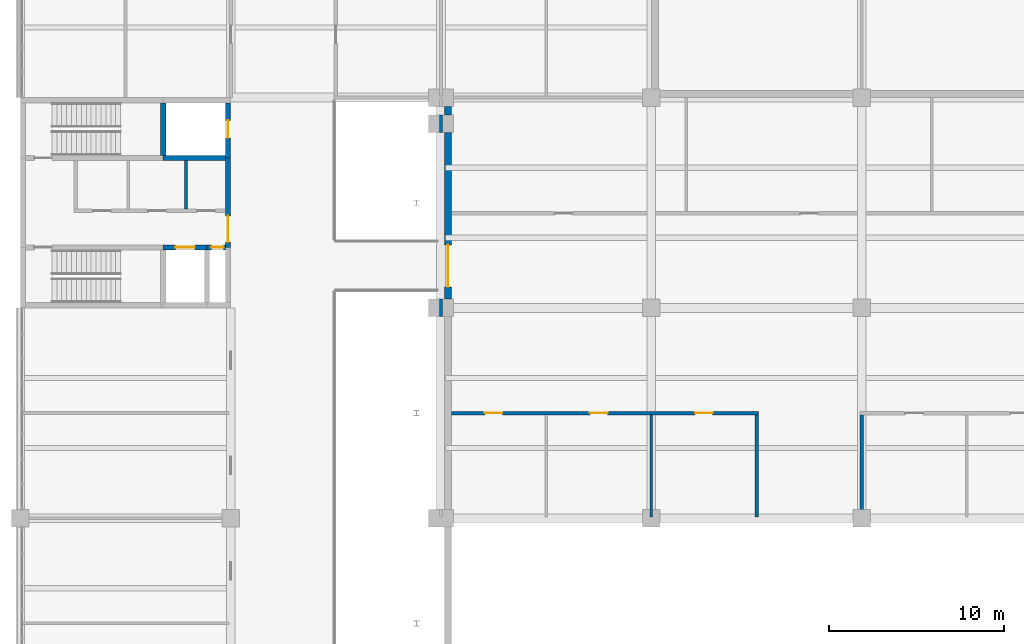
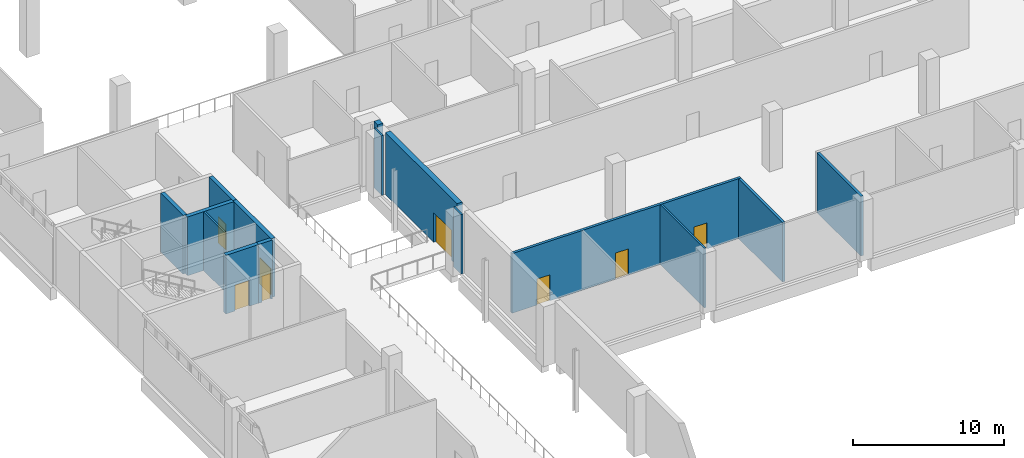
# One storey, part 59 of 69: 15 walls, 8 doors, 8 openings.
"""IFC4 building model written with IfcOpenShell, lengths in metres."""

from ifc_helpers import new_model, si_unit, direction, frame, frame_2d, origin, place, context, subcontext, project, spatial, rectangle, extrude, material, layer, layer_set, type_object, element, fill, save


model = new_model("IFC4")

# Units and contexts
model_context = context("Model", 3, precision=1e-05, world=origin(), true_north=direction((0.0, 1.0)))
body_context = subcontext(model_context, "Body", "Model", "MODEL_VIEW")
ifc_project = project(units=[si_unit("LENGTHUNIT", "METRE"), si_unit("AREAUNIT", "SQUARE_METRE"), si_unit("VOLUMEUNIT", "CUBIC_METRE"), si_unit("PLANEANGLEUNIT", "RADIAN"), si_unit("MASSUNIT", "GRAM", prefix="KILO")], contexts=[model_context])

# Site, building, storey
site_placement = place(None, origin())
site = spatial("IfcSite", under=ifc_project, at=site_placement, CompositionType="ELEMENT")
building_placement = place(site_placement, origin())
building = spatial("IfcBuilding", under=site, at=building_placement, Name="Lilac Gate Convention Centre", CompositionType="ELEMENT")
storey_placement = place(building_placement, frame((0.0, 0.0, 12.0)))
storey = spatial("IfcBuildingStorey", under=building, at=storey_placement, Name="L02", CompositionType="ELEMENT", Elevation=12.0)

# Wall, opening, door
ifc_material_1 = material(Name="Concrete C30", Category="concrete")
ifc_layer_1 = layer(ifc_material_1, 0.39990234375)
ifc_layer_set_1 = layer_set([ifc_layer_1], Name="Concrete C30")
wall_type_1 = type_object("IfcWallType", Name="Hall fire wall 400", PredefinedType="SOLIDWALL", material=ifc_layer_set_1)
wall_1_placement = place(storey_placement, frame((30.39990234375, 210.5, 0.0), z_axis=(0.0, 0.0, 1.0), x_axis=(0.0, 1.0, 0.0)))
wall_1 = element("IfcWall", 1, at=wall_1_placement, inside=storey, type_object=wall_type_1, Name="Fire wall galleria FW L02 16", PredefinedType="SOLIDWALL", context=body_context, shape_type="SweptSolid", body=[
    extrude(rectangle(XDim=9.5, YDim=0.39990234375, at=frame_2d((4.75, 0.0))), origin(), (0.0, 0.0, 1.0), 5.0),
])
opening_1_placement = place(wall_1_placement, frame((0.699951171875, 0.0, 0.0)))
opening_1 = element("IfcOpeningElement", 2, at=opening_1_placement, cuts=wall_1, Name="Opening L02-086", PredefinedType="OPENING", context=body_context, shape_type="SweptSolid", body=[
    extrude(rectangle(XDim=2.39990234375, YDim=2.39990234375, at=frame_2d((1.199951171875, 1.199951171875))), frame((0.0, 0.2099609375, 0.0), z_axis=(0.0, -1.0, 0.0), x_axis=(1.0, 0.0, 0.0)), (0.0, 0.0, 1.0), 0.419921875),
])
ifc_material_2 = material(Name="Steel Q235B", Category="steel")
door_type_1 = type_object("IfcDoorType", Name="Door 2400 x 2400 double leaf FD90", OperationType="DOUBLE_DOOR_SINGLE_SWING", PredefinedType="DOOR", material=ifc_material_2)
door_1_placement = place(opening_1_placement, origin())
door_1 = element("IfcDoor", 3, at=door_1_placement, inside=storey, type_object=door_type_1, Name="Foyer door L02-086", OperationType="DOUBLE_DOOR_SINGLE_SWING", OverallHeight=2.39990234375, OverallWidth=2.39990234375, PredefinedType="DOOR", context=body_context, shape_type="SweptSolid", body=[
    extrude(rectangle(XDim=2.39990234375, YDim=2.39990234375, at=frame_2d((1.199951171875, 1.199951171875))), frame((0.0, 0.02490234375, 0.0), z_axis=(0.0, -1.0, 0.0), x_axis=(1.0, 0.0, 0.0)), (0.0, 0.0, 1.0), 0.050048828125),
])
fill(opening_1, door_1)

# Walls
wall_2_placement = place(storey_placement, frame((30.39990234375, 221.0, 0.0), z_axis=(0.0, 0.0, 1.0), x_axis=(0.0, 1.0, 0.0)))
element("IfcWall", 4, at=wall_2_placement, inside=storey, type_object=wall_type_1, Name="Fire wall galleria FW L02 17", PredefinedType="SOLIDWALL", context=body_context, shape_type="SweptSolid", body=[
    extrude(rectangle(XDim=0.5, YDim=0.39990234375, at=frame_2d((0.25, 0.0))), origin(), (0.0, 0.0, 1.0), 5.0),
])
ifc_material_3 = material(Name="Fire-rated gypsum board on steel stud", Category="steel")
ifc_layer_2 = layer(ifc_material_3, 0.14990234375)
ifc_layer_set_2 = layer_set([ifc_layer_2], Name="Fire-rated gypsum board on steel stud")
wall_type_2 = type_object("IfcWallType", Name="Partition 150 fire-rated gypsum board EI 60", PredefinedType="PARTITIONING", material=ifc_layer_set_2)
wall_3_placement = place(storey_placement, frame((15.449951171875, 215.64990234375, 0.0), z_axis=(0.0, 0.0, 1.0), x_axis=(0.0, 1.0, 0.0)))
element("IfcWall", 5, at=wall_3_placement, inside=storey, type_object=wall_type_2, Name="Partition 150 fire-rated gypsum board EI 60", PredefinedType="PARTITIONING", context=body_context, shape_type="SweptSolid", body=[
    extrude(rectangle(XDim=2.75, YDim=0.14990234375, at=frame_2d((1.375, 0.0))), origin(), (0.0, 0.0, 1.0), 4.75),
])
for number, where, z_axis, x_axis, name in (
    (6, (30.0, 209.5, 0.0), (0.0, 0.0, 1.0), (0.0, 1.0, 0.0), "Partition 150 fire-rated gypsum board EI 60"),
    (7, (30.0, 220.0, 0.0), (0.0, 0.0, 1.0), (0.0, 1.0, 0.0), "Partition 150 fire-rated gypsum board EI 60"),
):
    element("IfcWall", number, at=place(storey_placement, frame(where, z_axis=z_axis, x_axis=x_axis)), inside=storey, type_object=wall_type_2, Name=name, PredefinedType="PARTITIONING", context=body_context, shape_type="SweptSolid", body=[
        extrude(rectangle(XDim=1.0, YDim=0.14990234375, at=frame_2d((0.5, 0.0))), origin(), (0.0, 0.0, 1.0), 4.824951171875),
    ])
wall_4_placement = place(storey_placement, frame((42.0, 198.074951171875, 0.0), z_axis=(0.0, 0.0, 1.0), x_axis=(0.0, 1.0, 0.0)))
element("IfcWall", 8, at=wall_4_placement, inside=storey, type_object=wall_type_2, Name="Partition 150 fire-rated gypsum board EI 60", PredefinedType="PARTITIONING", context=body_context, shape_type="SweptSolid", body=[
    extrude(rectangle(XDim=5.824951171875, YDim=0.14990234375, at=frame_2d((2.91259765625, 0.0))), origin(), (0.0, 0.0, 1.0), 4.824951171875),
])

# Wall, openings, doors
ifc_material_4 = material(Name="Clay brick masonry", Category="masonry")
ifc_layer_3 = layer(ifc_material_4, 0.199951171875)
ifc_layer_set_3 = layer_set([ifc_layer_3], Name="Clay brick masonry")
wall_type_3 = type_object("IfcWallType", Name="Partition 200 brick EI 60", PredefinedType="PARTITIONING", material=ifc_layer_set_3)
wall_5_placement = place(storey_placement, frame((30.599853515625, 204.0, 0.0), z_axis=(0.0, 0.0, 1.0), x_axis=(1.0, 0.0, 0.0)))
wall_5 = element("IfcWall", 9, at=wall_5_placement, inside=storey, type_object=wall_type_3, Name="Partition 200 brick EI 60", PredefinedType="PARTITIONING", context=body_context, shape_type="SweptSolid", body=[
    extrude(rectangle(XDim=17.500244140625, YDim=0.199951171875, at=frame_2d((8.75, 0.0))), origin(), (0.0, 0.0, 1.0), 4.824951171875),
])
opening_2_placement = place(wall_5_placement, frame((1.900146484375, 0.0, 0.0)))
opening_2 = element("IfcOpeningElement", 10, at=opening_2_placement, cuts=wall_5, Name="Opening L02-077", PredefinedType="OPENING", context=body_context, shape_type="SweptSolid", body=[
    extrude(rectangle(XDim=1.0, YDim=2.10009765625, at=frame_2d((0.5, 1.050048828125))), frame((0.0, 0.10986328125, 0.0), z_axis=(0.0, -1.0, 0.0), x_axis=(1.0, 0.0, 0.0)), (0.0, 0.0, 1.0), 0.219970703125),
])
opening_3_placement = place(wall_5_placement, frame((7.900146484375, 0.0, 0.0)))
opening_3 = element("IfcOpeningElement", 11, at=opening_3_placement, cuts=wall_5, Name="Opening L02-078", PredefinedType="OPENING", context=body_context, shape_type="SweptSolid", body=[
    extrude(rectangle(XDim=1.0, YDim=2.10009765625, at=frame_2d((0.5, 1.050048828125))), frame((0.0, 0.10986328125, 0.0), z_axis=(0.0, -1.0, 0.0), x_axis=(1.0, 0.0, 0.0)), (0.0, 0.0, 1.0), 0.219970703125),
])
opening_4_placement = place(wall_5_placement, frame((13.900146484375, 0.0, 0.0)))
opening_4 = element("IfcOpeningElement", 12, at=opening_4_placement, cuts=wall_5, Name="Opening L02-079", PredefinedType="OPENING", context=body_context, shape_type="SweptSolid", body=[
    extrude(rectangle(XDim=1.0, YDim=2.10009765625, at=frame_2d((0.5, 1.050048828125))), frame((0.0, 0.10986328125, 0.0), z_axis=(0.0, -1.0, 0.0), x_axis=(1.0, 0.0, 0.0)), (0.0, 0.0, 1.0), 0.219970703125),
])
ifc_material_5 = material(Name="Timber fire door leaf", Category="wood")
door_type_2 = type_object("IfcDoorType", Name="Door 1000 x 2100 single leaf FD30", OperationType="SINGLE_SWING_LEFT", PredefinedType="DOOR", material=ifc_material_5)
door_2_placement = place(opening_2_placement, frame((1.0, 0.0, 0.0), z_axis=(0.0, 0.0, 1.0), x_axis=(-1.0, 0.0, 0.0)))
door_2 = element("IfcDoor", 13, at=door_2_placement, inside=storey, type_object=door_type_2, Name="Meeting room door L02-077", OperationType="SINGLE_SWING_LEFT", OverallHeight=2.10009765625, OverallWidth=1.0, PredefinedType="DOOR", context=body_context, shape_type="SweptSolid", body=[
    extrude(rectangle(XDim=1.0, YDim=2.10009765625, at=frame_2d((0.5, 1.050048828125))), frame((0.0, 0.02490234375, 0.0), z_axis=(0.0, -1.0, 0.0), x_axis=(1.0, 0.0, 0.0)), (0.0, 0.0, 1.0), 0.050048828125),
])
fill(opening_2, door_2)
door_3_placement = place(opening_3_placement, frame((1.0, 0.0, 0.0), z_axis=(0.0, 0.0, 1.0), x_axis=(-1.0, 0.0, 0.0)))
door_3 = element("IfcDoor", 14, at=door_3_placement, inside=storey, type_object=door_type_2, Name="Meeting room door L02-078", OperationType="SINGLE_SWING_LEFT", OverallHeight=2.10009765625, OverallWidth=1.0, PredefinedType="DOOR", context=body_context, shape_type="SweptSolid", body=[
    extrude(rectangle(XDim=1.0, YDim=2.10009765625, at=frame_2d((0.5, 1.050048828125))), frame((0.0, 0.02490234375, 0.0), z_axis=(0.0, -1.0, 0.0), x_axis=(1.0, 0.0, 0.0)), (0.0, 0.0, 1.0), 0.050048828125),
])
fill(opening_3, door_3)
door_4_placement = place(opening_4_placement, frame((1.0, 0.0, 0.0), z_axis=(0.0, 0.0, 1.0), x_axis=(-1.0, 0.0, 0.0)))
door_4 = element("IfcDoor", 15, at=door_4_placement, inside=storey, type_object=door_type_2, Name="Meeting room door L02-079", OperationType="SINGLE_SWING_LEFT", OverallHeight=2.10009765625, OverallWidth=1.0, PredefinedType="DOOR", context=body_context, shape_type="SweptSolid", body=[
    extrude(rectangle(XDim=1.0, YDim=2.10009765625, at=frame_2d((0.5, 1.050048828125))), frame((0.0, 0.02490234375, 0.0), z_axis=(0.0, -1.0, 0.0), x_axis=(1.0, 0.0, 0.0)), (0.0, 0.0, 1.0), 0.050048828125),
])
fill(opening_4, door_4)

# Walls
for number, where, z_axis, x_axis, name in (
    (16, (48.0, 198.074951171875, 0.0), (0.0, 0.0, 1.0), (0.0, 1.0, 0.0), "Partition 200 brick EI 60"),
    (17, (54.0, 198.074951171875, 0.0), (0.0, 0.0, 1.0), (0.0, 1.0, 0.0), "Partition 200 brick EI 60"),
):
    element("IfcWall", number, at=place(storey_placement, frame(where, z_axis=z_axis, x_axis=x_axis)), inside=storey, type_object=wall_type_3, Name=name, PredefinedType="PARTITIONING", context=body_context, shape_type="SweptSolid", body=[
        extrude(rectangle(XDim=5.824951171875, YDim=0.199951171875, at=frame_2d((2.91259765625, 0.0))), origin(), (0.0, 0.0, 1.0), 4.824951171875),
    ])

# Wall, opening, door
ifc_material_6 = material(Name="Concrete C40", Category="concrete")
ifc_layer_4 = layer(ifc_material_6, 0.300048828125)
ifc_layer_set_4 = layer_set([ifc_layer_4], Name="Concrete C40")
wall_type_4 = type_object("IfcWallType", Name="Shear wall 300 C40", PredefinedType="SHEAR", material=ifc_layer_set_4)
wall_6_placement = place(storey_placement, frame((14.14990234375, 213.449951171875, 0.0), z_axis=(0.0, 0.0, 1.0), x_axis=(1.0, 0.0, 0.0)))
wall_6 = element("IfcWall", 18, at=wall_6_placement, inside=storey, type_object=wall_type_4, Name="SW1 shear wall W4 L02 7", PredefinedType="SHEAR", context=body_context, shape_type="SweptSolid", body=[
    extrude(rectangle(XDim=2.5, YDim=0.300048828125, at=frame_2d((1.25, 0.0))), origin(), (0.0, 0.0, 1.0), 4.75),
])
opening_5_placement = place(wall_6_placement, frame((0.699951171875, 0.0, 0.0)))
opening_5 = element("IfcOpeningElement", 19, at=opening_5_placement, cuts=wall_6, Name="Opening LDW4-02", PredefinedType="OPENING", context=body_context, shape_type="SweptSolid", body=[
    extrude(rectangle(XDim=1.10009765625, YDim=2.10009765625, at=frame_2d((0.550048828125, 1.050048828125))), frame((0.0, 0.159912109375, 0.0), z_axis=(0.0, -1.0, 0.0), x_axis=(1.0, 0.0, 0.0)), (0.0, 0.0, 1.0), 0.320068359375),
])
ifc_material_7 = material(Name="Stainless steel 304", Category="steel")
door_type_3 = type_object("IfcDoorType", Name="Lift landing door 1100 x 2100", OperationType="SLIDING_TO_LEFT", PredefinedType="DOOR", material=ifc_material_7)
door_5_placement = place(opening_5_placement, origin())
door_5 = element("IfcDoor", 20, at=door_5_placement, inside=storey, type_object=door_type_3, Name="Lift landing door LDW4-02", OperationType="SLIDING_TO_LEFT", OverallHeight=2.10009765625, OverallWidth=1.10009765625, PredefinedType="DOOR", context=body_context, shape_type="SweptSolid", body=[
    extrude(rectangle(XDim=1.10009765625, YDim=2.10009765625, at=frame_2d((0.550048828125, 1.050048828125))), frame((0.0, 0.02490234375, 0.0), z_axis=(0.0, -1.0, 0.0), x_axis=(1.0, 0.0, 0.0)), (0.0, 0.0, 1.0), 0.050048828125),
])
fill(opening_5, door_5)

wall_7_placement = place(storey_placement, frame((16.64990234375, 213.449951171875, 0.0), z_axis=(0.0, 0.0, 1.0), x_axis=(1.0, 0.0, 0.0)))
wall_7 = element("IfcWall", 21, at=wall_7_placement, inside=storey, type_object=wall_type_4, Name="SW1 shear wall W4 L02 8", PredefinedType="SHEAR", context=body_context, shape_type="SweptSolid", body=[
    extrude(rectangle(XDim=1.050048828125, YDim=0.300048828125, at=frame_2d((0.52490234375, 0.0))), origin(), (0.0, 0.0, 1.0), 4.75),
])
opening_6_placement = place(wall_7_placement, frame((0.25, 0.0, 0.0)))
opening_6 = element("IfcOpeningElement", 22, at=opening_6_placement, cuts=wall_7, Name="Opening L02-088", PredefinedType="OPENING", context=body_context, shape_type="SweptSolid", body=[
    extrude(rectangle(XDim=0.699951171875, YDim=2.10009765625, at=frame_2d((0.35009765625, 1.050048828125))), frame((0.0, 0.159912109375, 0.0), z_axis=(0.0, -1.0, 0.0), x_axis=(1.0, 0.0, 0.0)), (0.0, 0.0, 1.0), 0.320068359375),
])
door_type_4 = type_object("IfcDoorType", Name="Door 700 x 2100 single leaf FD30", OperationType="SINGLE_SWING_LEFT", PredefinedType="DOOR", material=ifc_material_5)
door_6_placement = place(opening_6_placement, frame((0.699951171875, 0.0, 0.0), z_axis=(0.0, 0.0, 1.0), x_axis=(-1.0, 0.0, 0.0)))
door_6 = element("IfcDoor", 23, at=door_6_placement, inside=storey, type_object=door_type_4, Name="Riser access door L02-088", OperationType="SINGLE_SWING_LEFT", OverallHeight=2.10009765625, OverallWidth=0.699951171875, PredefinedType="DOOR", context=body_context, shape_type="SweptSolid", body=[
    extrude(rectangle(XDim=0.699951171875, YDim=2.10009765625, at=frame_2d((0.35009765625, 1.050048828125))), frame((0.0, 0.02490234375, 0.0), z_axis=(0.0, -1.0, 0.0), x_axis=(1.0, 0.0, 0.0)), (0.0, 0.0, 1.0), 0.050048828125),
])
fill(opening_6, door_6)

# Wall
wall_8_placement = place(storey_placement, frame((14.14990234375, 218.550048828125, 0.0), z_axis=(0.0, 0.0, 1.0), x_axis=(1.0, 0.0, 0.0)))
element("IfcWall", 24, at=wall_8_placement, inside=storey, type_object=wall_type_4, Name="SW1 shear wall W4 L02 10", PredefinedType="SHEAR", context=body_context, shape_type="SweptSolid", body=[
    extrude(rectangle(XDim=3.550048828125, YDim=0.300048828125, at=frame_2d((1.77490234375, 0.0))), origin(), (0.0, 0.0, 1.0), 4.75),
])

# Wall, opening, door
wall_9_placement = place(storey_placement, frame((17.85009765625, 213.449951171875, 0.0), z_axis=(0.0, 0.0, 1.0), x_axis=(0.0, 1.0, 0.0)))
wall_9 = element("IfcWall", 25, at=wall_9_placement, inside=storey, type_object=wall_type_4, Name="SW1 shear wall W4 L02 15", PredefinedType="SHEAR", context=body_context, shape_type="SweptSolid", body=[
    extrude(rectangle(XDim=5.10009765625, YDim=0.300048828125, at=frame_2d((2.550048828125, 0.0))), origin(), (0.0, 0.0, 1.0), 4.75),
])
opening_7_placement = place(wall_9_placement, frame((0.300048828125, 0.0, 0.0)))
opening_7 = element("IfcOpeningElement", 26, at=opening_7_placement, cuts=wall_9, Name="Opening L02-091", PredefinedType="OPENING", context=body_context, shape_type="SweptSolid", body=[
    extrude(rectangle(XDim=1.5, YDim=2.10009765625, at=frame_2d((0.75, 1.050048828125))), frame((0.0, 0.159912109375, 0.0), z_axis=(0.0, -1.0, 0.0), x_axis=(1.0, 0.0, 0.0)), (0.0, 0.0, 1.0), 0.320068359375),
])
door_type_5 = type_object("IfcDoorType", Name="Door 1500 x 2100 double leaf FD30", OperationType="DOUBLE_DOOR_SINGLE_SWING", PredefinedType="DOOR", material=ifc_material_5)
door_7_placement = place(opening_7_placement, origin())
door_7 = element("IfcDoor", 27, at=door_7_placement, inside=storey, type_object=door_type_5, Name="Lobby door L02-091", OperationType="DOUBLE_DOOR_SINGLE_SWING", OverallHeight=2.10009765625, OverallWidth=1.5, PredefinedType="DOOR", context=body_context, shape_type="SweptSolid", body=[
    extrude(rectangle(XDim=1.5, YDim=2.10009765625, at=frame_2d((0.75, 1.050048828125))), frame((0.0, 0.02490234375, 0.0), z_axis=(0.0, -1.0, 0.0), x_axis=(1.0, 0.0, 0.0)), (0.0, 0.0, 1.0), 0.050048828125),
])
fill(opening_7, door_7)

wall_10_placement = place(storey_placement, frame((17.85009765625, 218.550048828125, 0.0), z_axis=(0.0, 0.0, 1.0), x_axis=(0.0, 1.0, 0.0)))
wall_10 = element("IfcWall", 28, at=wall_10_placement, inside=storey, type_object=wall_type_4, Name="SW1 shear wall W4 L02 16", PredefinedType="SHEAR", context=body_context, shape_type="SweptSolid", body=[
    extrude(rectangle(XDim=3.14990234375, YDim=0.300048828125, at=frame_2d((1.574951171875, 0.0))), origin(), (0.0, 0.0, 1.0), 4.75),
])
opening_8_placement = place(wall_10_placement, frame((1.14990234375, 0.0, 0.0)))
opening_8 = element("IfcOpeningElement", 29, at=opening_8_placement, cuts=wall_10, Name="Opening L02-104", PredefinedType="OPENING", context=body_context, shape_type="SweptSolid", body=[
    extrude(rectangle(XDim=1.0, YDim=2.10009765625, at=frame_2d((0.5, 1.050048828125))), frame((0.0, 0.159912109375, 0.0), z_axis=(0.0, -1.0, 0.0), x_axis=(1.0, 0.0, 0.0)), (0.0, 0.0, 1.0), 0.320068359375),
])
door_8_placement = place(opening_8_placement, origin())
door_8 = element("IfcDoor", 30, at=door_8_placement, inside=storey, type_object=door_type_2, Name="Riser access door L02-104", OperationType="SINGLE_SWING_RIGHT", OverallHeight=2.10009765625, OverallWidth=1.0, PredefinedType="DOOR", context=body_context, shape_type="SweptSolid", body=[
    extrude(rectangle(XDim=1.0, YDim=2.10009765625, at=frame_2d((0.5, 1.050048828125))), frame((0.0, 0.02490234375, 0.0), z_axis=(0.0, -1.0, 0.0), x_axis=(1.0, 0.0, 0.0)), (0.0, 0.0, 1.0), 0.050048828125),
])
fill(opening_8, door_8)

# Wall
wall_11_placement = place(storey_placement, frame((14.14990234375, 218.699951171875, 0.0), z_axis=(0.0, 0.0, 1.0), x_axis=(0.0, 1.0, 0.0)))
element("IfcWall", 31, at=wall_11_placement, inside=storey, type_object=wall_type_4, Name="SW1 shear wall W4 L02 18", PredefinedType="SHEAR", context=body_context, shape_type="SweptSolid", body=[
    extrude(rectangle(XDim=3.0, YDim=0.300048828125, at=frame_2d((1.5, 0.0))), origin(), (0.0, 0.0, 1.0), 4.75),
])

save(model, "model.ifc")
